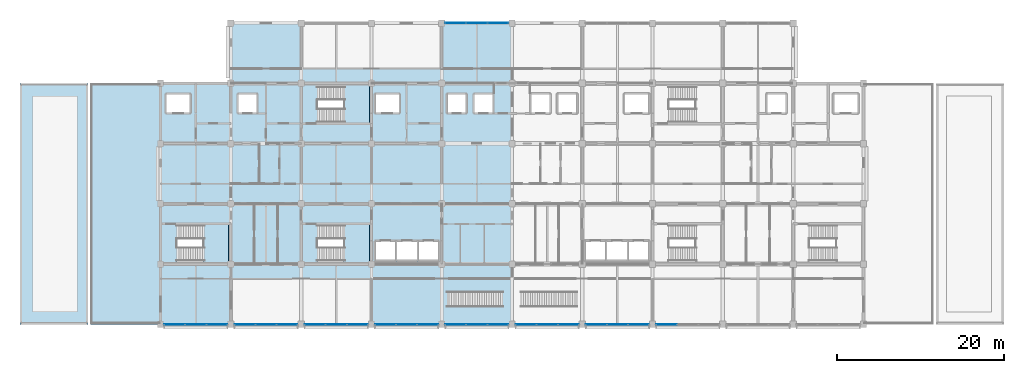
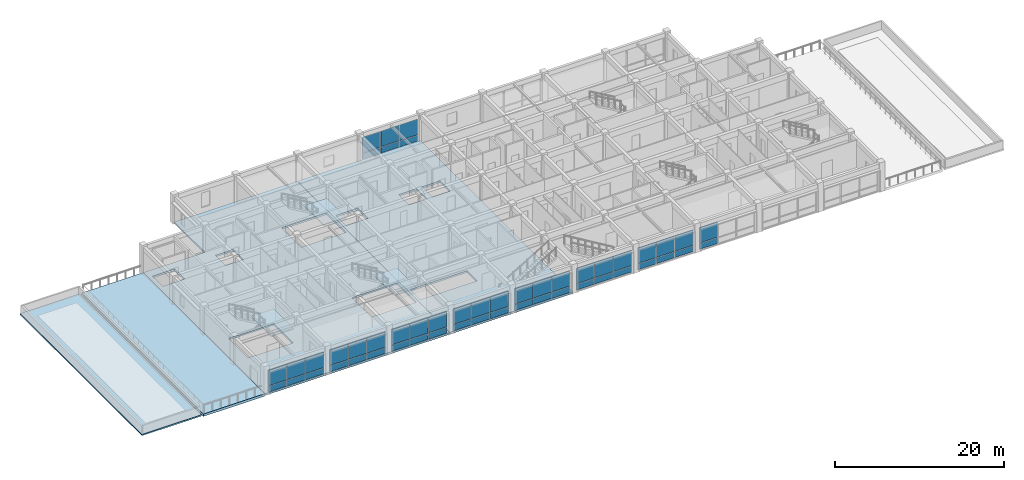
# One storey, part 10 of 27: 50 plates, 7 slabs, 12 elements without a shape of their own.
"""IFC4 building model written with IfcOpenShell, lengths in metres."""

from ifc_helpers import new_model, si_unit, direction, frame, origin, origin_2d, place, context, subcontext, project, spatial, polyline, rectangle, outline, extrude, material, layer, layer_set, type_object, element, aggregate, save


model = new_model("IFC4")

# Units and contexts
model_context = context("Model", 3, precision=1e-05, world=origin(), true_north=direction((0.0, 1.0)))
body_context = subcontext(model_context, "Body", "Model", "MODEL_VIEW")
ifc_project = project(units=[si_unit("LENGTHUNIT", "METRE"), si_unit("AREAUNIT", "SQUARE_METRE"), si_unit("VOLUMEUNIT", "CUBIC_METRE"), si_unit("PLANEANGLEUNIT", "RADIAN"), si_unit("MASSUNIT", "GRAM", prefix="KILO")], contexts=[model_context])

# Site, building, storey
site_placement = place(None, origin())
site = spatial("IfcSite", under=ifc_project, at=site_placement, CompositionType="ELEMENT")
building_placement = place(site_placement, origin())
building = spatial("IfcBuilding", under=site, at=building_placement, Name="Chengyuan Square Courthouse", CompositionType="ELEMENT")
storey_placement = place(building_placement, frame((0.0, 0.0, 35.10009765625)))
storey = spatial("IfcBuildingStorey", under=building, at=storey_placement, Name="L08", CompositionType="ELEMENT", Elevation=35.10009765625)

# Curtain wall, plates
ifc_material_1 = material(Name="Unitised Aluminium and Triple Low-E Glass", Category="aluminium")
ifc_layer_1 = layer(ifc_material_1, 0.179931640625)
ifc_layer_set_1 = layer_set([ifc_layer_1], Name="Unitised Aluminium and Triple Low-E Glass")
curtain_wall_type = type_object("IfcCurtainWallType", Name="CW-22", PredefinedType="USERDEFINED", material=ifc_layer_set_1)
curtain_wall_1_placement = place(storey_placement, origin())
curtain_wall_1 = element("IfcCurtainWall", 1, at=curtain_wall_1_placement, inside=storey, type_object=curtain_wall_type, Name="Unitised Curtain Wall CW-L08-221", ObjectType="UNITISED CURTAIN WALL", PredefinedType="USERDEFINED")
ifc_material_2 = material(Name="Triple Low-E Insulating Glass", Category="glass")
ifc_layer_2 = layer(ifc_material_2, 0.052001953125)
ifc_layer_set_2 = layer_set([ifc_layer_2], Name="Triple Low-E Insulating Glass")
plate_type = type_object("IfcPlateType", Name="CWP-04", PredefinedType="CURTAIN_PANEL", material=ifc_layer_set_2)
plate_1_placement = place(storey_placement, frame((43.666259765625, 79.199951171875, 0.06494140625), z_axis=(0.0, 0.0, 1.0), x_axis=(1.0, 0.0, 0.0)))
plate_1 = element("IfcPlate", 2, at=plate_1_placement, type_object=plate_type, Name="CW-22 panel 1.1", PredefinedType="CURTAIN_PANEL", context=body_context, shape_type="SweptSolid", body=[
    extrude(rectangle(XDim=2.452392578125, YDim=0.052001953125, at=origin_2d()), origin(), (0.0, 0.0, 1.0), 0.8525390625),
])
plate_2_placement = place(storey_placement, frame((43.666259765625, 79.199951171875, 0.982421875), z_axis=(0.0, 0.0, 1.0), x_axis=(1.0, 0.0, 0.0)))
plate_2 = element("IfcPlate", 3, at=plate_2_placement, type_object=plate_type, Name="CW-22 panel 1.2", PredefinedType="CURTAIN_PANEL", context=body_context, shape_type="SweptSolid", body=[
    extrude(rectangle(XDim=2.452392578125, YDim=0.052001953125, at=origin_2d()), origin(), (0.0, 0.0, 1.0), 2.25244140625),
])
plate_3_placement = place(storey_placement, frame((46.199951171875, 79.199951171875, 0.06494140625), z_axis=(0.0, 0.0, 1.0), x_axis=(1.0, 0.0, 0.0)))
plate_3 = element("IfcPlate", 4, at=plate_3_placement, type_object=plate_type, Name="CW-22 panel 2.1", PredefinedType="CURTAIN_PANEL", context=body_context, shape_type="SweptSolid", body=[
    extrude(rectangle(XDim=2.485107421875, YDim=0.052001953125, at=origin_2d()), origin(), (0.0, 0.0, 1.0), 0.8525390625),
])
plate_4_placement = place(storey_placement, frame((46.199951171875, 79.199951171875, 0.982421875), z_axis=(0.0, 0.0, 1.0), x_axis=(1.0, 0.0, 0.0)))
plate_4 = element("IfcPlate", 5, at=plate_4_placement, type_object=plate_type, Name="CW-22 panel 2.2", PredefinedType="CURTAIN_PANEL", context=body_context, shape_type="SweptSolid", body=[
    extrude(rectangle(XDim=2.485107421875, YDim=0.052001953125, at=origin_2d()), origin(), (0.0, 0.0, 1.0), 2.25244140625),
])
plate_5_placement = place(storey_placement, frame((48.733642578125, 79.199951171875, 0.06494140625), z_axis=(0.0, 0.0, 1.0), x_axis=(1.0, 0.0, 0.0)))
plate_5 = element("IfcPlate", 6, at=plate_5_placement, type_object=plate_type, Name="CW-22 panel 3.1", PredefinedType="CURTAIN_PANEL", context=body_context, shape_type="SweptSolid", body=[
    extrude(rectangle(XDim=2.452392578125, YDim=0.052001953125, at=origin_2d()), origin(), (0.0, 0.0, 1.0), 0.8525390625),
])
plate_6_placement = place(storey_placement, frame((48.733642578125, 79.199951171875, 0.982421875), z_axis=(0.0, 0.0, 1.0), x_axis=(1.0, 0.0, 0.0)))
plate_6 = element("IfcPlate", 7, at=plate_6_placement, type_object=plate_type, Name="CW-22 panel 3.2", PredefinedType="CURTAIN_PANEL", context=body_context, shape_type="SweptSolid", body=[
    extrude(rectangle(XDim=2.452392578125, YDim=0.052001953125, at=origin_2d()), origin(), (0.0, 0.0, 1.0), 2.25244140625),
])
aggregate(curtain_wall_1, [plate_1, plate_2, plate_3, plate_4, plate_5, plate_6])

curtain_wall_2_placement = place(storey_placement, origin())
curtain_wall_2 = element("IfcCurtainWall", 8, at=curtain_wall_2_placement, inside=storey, type_object=curtain_wall_type, Name="Unitised Curtain Wall CW-L08-222", ObjectType="UNITISED CURTAIN WALL", PredefinedType="USERDEFINED")
plate_7_placement = place(storey_placement, frame((52.066162109375, 79.199951171875, 0.06494140625), z_axis=(0.0, 0.0, 1.0), x_axis=(1.0, 0.0, 0.0)))
plate_7 = element("IfcPlate", 9, at=plate_7_placement, type_object=plate_type, Name="CW-22 panel 1.1", PredefinedType="CURTAIN_PANEL", context=body_context, shape_type="SweptSolid", body=[
    extrude(rectangle(XDim=2.452392578125, YDim=0.052001953125, at=origin_2d()), origin(), (0.0, 0.0, 1.0), 0.8525390625),
])
plate_8_placement = place(storey_placement, frame((52.066162109375, 79.199951171875, 0.982421875), z_axis=(0.0, 0.0, 1.0), x_axis=(1.0, 0.0, 0.0)))
plate_8 = element("IfcPlate", 10, at=plate_8_placement, type_object=plate_type, Name="CW-22 panel 1.2", PredefinedType="CURTAIN_PANEL", context=body_context, shape_type="SweptSolid", body=[
    extrude(rectangle(XDim=2.452392578125, YDim=0.052001953125, at=origin_2d()), origin(), (0.0, 0.0, 1.0), 2.25244140625),
])
plate_9_placement = place(storey_placement, frame((54.60009765625, 79.199951171875, 0.06494140625), z_axis=(0.0, 0.0, 1.0), x_axis=(1.0, 0.0, 0.0)))
plate_9 = element("IfcPlate", 11, at=plate_9_placement, type_object=plate_type, Name="CW-22 panel 2.1", PredefinedType="CURTAIN_PANEL", context=body_context, shape_type="SweptSolid", body=[
    extrude(rectangle(XDim=2.485107421875, YDim=0.052001953125, at=origin_2d()), origin(), (0.0, 0.0, 1.0), 0.8525390625),
])
plate_10_placement = place(storey_placement, frame((54.60009765625, 79.199951171875, 0.982421875), z_axis=(0.0, 0.0, 1.0), x_axis=(1.0, 0.0, 0.0)))
plate_10 = element("IfcPlate", 12, at=plate_10_placement, type_object=plate_type, Name="CW-22 panel 2.2", PredefinedType="CURTAIN_PANEL", context=body_context, shape_type="SweptSolid", body=[
    extrude(rectangle(XDim=2.485107421875, YDim=0.052001953125, at=origin_2d()), origin(), (0.0, 0.0, 1.0), 2.25244140625),
])
plate_11_placement = place(storey_placement, frame((57.1337890625, 79.199951171875, 0.06494140625), z_axis=(0.0, 0.0, 1.0), x_axis=(1.0, 0.0, 0.0)))
plate_11 = element("IfcPlate", 13, at=plate_11_placement, type_object=plate_type, Name="CW-22 panel 3.1", PredefinedType="CURTAIN_PANEL", context=body_context, shape_type="SweptSolid", body=[
    extrude(rectangle(XDim=2.452392578125, YDim=0.052001953125, at=origin_2d()), origin(), (0.0, 0.0, 1.0), 0.8525390625),
])
plate_12_placement = place(storey_placement, frame((57.1337890625, 79.199951171875, 0.982421875), z_axis=(0.0, 0.0, 1.0), x_axis=(1.0, 0.0, 0.0)))
plate_12 = element("IfcPlate", 14, at=plate_12_placement, type_object=plate_type, Name="CW-22 panel 3.2", PredefinedType="CURTAIN_PANEL", context=body_context, shape_type="SweptSolid", body=[
    extrude(rectangle(XDim=2.452392578125, YDim=0.052001953125, at=origin_2d()), origin(), (0.0, 0.0, 1.0), 2.25244140625),
])
aggregate(curtain_wall_2, [plate_7, plate_8, plate_9, plate_10, plate_11, plate_12])

curtain_wall_3_placement = place(storey_placement, origin())
curtain_wall_3 = element("IfcCurtainWall", 15, at=curtain_wall_3_placement, inside=storey, type_object=curtain_wall_type, Name="Unitised Curtain Wall CW-L08-223", ObjectType="UNITISED CURTAIN WALL", PredefinedType="USERDEFINED")
plate_13_placement = place(storey_placement, frame((60.46630859375, 79.199951171875, 0.06494140625), z_axis=(0.0, 0.0, 1.0), x_axis=(1.0, 0.0, 0.0)))
plate_13 = element("IfcPlate", 16, at=plate_13_placement, type_object=plate_type, Name="CW-22 panel 1.1", PredefinedType="CURTAIN_PANEL", context=body_context, shape_type="SweptSolid", body=[
    extrude(rectangle(XDim=2.452392578125, YDim=0.052001953125, at=origin_2d()), origin(), (0.0, 0.0, 1.0), 0.8525390625),
])
plate_14_placement = place(storey_placement, frame((60.46630859375, 79.199951171875, 0.982421875), z_axis=(0.0, 0.0, 1.0), x_axis=(1.0, 0.0, 0.0)))
plate_14 = element("IfcPlate", 17, at=plate_14_placement, type_object=plate_type, Name="CW-22 panel 1.2", PredefinedType="CURTAIN_PANEL", context=body_context, shape_type="SweptSolid", body=[
    extrude(rectangle(XDim=2.452392578125, YDim=0.052001953125, at=origin_2d()), origin(), (0.0, 0.0, 1.0), 2.25244140625),
])
plate_15_placement = place(storey_placement, frame((63.0, 79.199951171875, 0.06494140625), z_axis=(0.0, 0.0, 1.0), x_axis=(1.0, 0.0, 0.0)))
plate_15 = element("IfcPlate", 18, at=plate_15_placement, type_object=plate_type, Name="CW-22 panel 2.1", PredefinedType="CURTAIN_PANEL", context=body_context, shape_type="SweptSolid", body=[
    extrude(rectangle(XDim=2.485107421875, YDim=0.052001953125, at=origin_2d()), origin(), (0.0, 0.0, 1.0), 0.8525390625),
])
plate_16_placement = place(storey_placement, frame((63.0, 79.199951171875, 0.982421875), z_axis=(0.0, 0.0, 1.0), x_axis=(1.0, 0.0, 0.0)))
plate_16 = element("IfcPlate", 19, at=plate_16_placement, type_object=plate_type, Name="CW-22 panel 2.2", PredefinedType="CURTAIN_PANEL", context=body_context, shape_type="SweptSolid", body=[
    extrude(rectangle(XDim=2.485107421875, YDim=0.052001953125, at=origin_2d()), origin(), (0.0, 0.0, 1.0), 2.25244140625),
])
plate_17_placement = place(storey_placement, frame((65.53369140625, 79.199951171875, 0.06494140625), z_axis=(0.0, 0.0, 1.0), x_axis=(1.0, 0.0, 0.0)))
plate_17 = element("IfcPlate", 20, at=plate_17_placement, type_object=plate_type, Name="CW-22 panel 3.1", PredefinedType="CURTAIN_PANEL", context=body_context, shape_type="SweptSolid", body=[
    extrude(rectangle(XDim=2.452392578125, YDim=0.052001953125, at=origin_2d()), origin(), (0.0, 0.0, 1.0), 0.8525390625),
])
plate_18_placement = place(storey_placement, frame((65.53369140625, 79.199951171875, 0.982421875), z_axis=(0.0, 0.0, 1.0), x_axis=(1.0, 0.0, 0.0)))
plate_18 = element("IfcPlate", 21, at=plate_18_placement, type_object=plate_type, Name="CW-22 panel 3.2", PredefinedType="CURTAIN_PANEL", context=body_context, shape_type="SweptSolid", body=[
    extrude(rectangle(XDim=2.452392578125, YDim=0.052001953125, at=origin_2d()), origin(), (0.0, 0.0, 1.0), 2.25244140625),
])
aggregate(curtain_wall_3, [plate_13, plate_14, plate_15, plate_16, plate_17, plate_18])

curtain_wall_4_placement = place(storey_placement, origin())
curtain_wall_4 = element("IfcCurtainWall", 22, at=curtain_wall_4_placement, inside=storey, type_object=curtain_wall_type, Name="Unitised Curtain Wall CW-L08-224", ObjectType="UNITISED CURTAIN WALL", PredefinedType="USERDEFINED")
plate_19_placement = place(storey_placement, frame((68.8662109375, 79.199951171875, 0.06494140625), z_axis=(0.0, 0.0, 1.0), x_axis=(1.0, 0.0, 0.0)))
plate_19 = element("IfcPlate", 23, at=plate_19_placement, type_object=plate_type, Name="CW-22 panel 1.1", PredefinedType="CURTAIN_PANEL", context=body_context, shape_type="SweptSolid", body=[
    extrude(rectangle(XDim=2.452392578125, YDim=0.052001953125, at=origin_2d()), origin(), (0.0, 0.0, 1.0), 0.8525390625),
])
plate_20_placement = place(storey_placement, frame((68.8662109375, 79.199951171875, 0.982421875), z_axis=(0.0, 0.0, 1.0), x_axis=(1.0, 0.0, 0.0)))
plate_20 = element("IfcPlate", 24, at=plate_20_placement, type_object=plate_type, Name="CW-22 panel 1.2", PredefinedType="CURTAIN_PANEL", context=body_context, shape_type="SweptSolid", body=[
    extrude(rectangle(XDim=2.452392578125, YDim=0.052001953125, at=origin_2d()), origin(), (0.0, 0.0, 1.0), 2.25244140625),
])
plate_21_placement = place(storey_placement, frame((71.39990234375, 79.199951171875, 0.06494140625), z_axis=(0.0, 0.0, 1.0), x_axis=(1.0, 0.0, 0.0)))
plate_21 = element("IfcPlate", 25, at=plate_21_placement, type_object=plate_type, Name="CW-22 panel 2.1", PredefinedType="CURTAIN_PANEL", context=body_context, shape_type="SweptSolid", body=[
    extrude(rectangle(XDim=2.485107421875, YDim=0.052001953125, at=origin_2d()), origin(), (0.0, 0.0, 1.0), 0.8525390625),
])
plate_22_placement = place(storey_placement, frame((71.39990234375, 79.199951171875, 0.982421875), z_axis=(0.0, 0.0, 1.0), x_axis=(1.0, 0.0, 0.0)))
plate_22 = element("IfcPlate", 26, at=plate_22_placement, type_object=plate_type, Name="CW-22 panel 2.2", PredefinedType="CURTAIN_PANEL", context=body_context, shape_type="SweptSolid", body=[
    extrude(rectangle(XDim=2.485107421875, YDim=0.052001953125, at=origin_2d()), origin(), (0.0, 0.0, 1.0), 2.25244140625),
])
plate_23_placement = place(storey_placement, frame((73.933837890625, 79.199951171875, 0.06494140625), z_axis=(0.0, 0.0, 1.0), x_axis=(1.0, 0.0, 0.0)))
plate_23 = element("IfcPlate", 27, at=plate_23_placement, type_object=plate_type, Name="CW-22 panel 3.1", PredefinedType="CURTAIN_PANEL", context=body_context, shape_type="SweptSolid", body=[
    extrude(rectangle(XDim=2.452392578125, YDim=0.052001953125, at=origin_2d()), origin(), (0.0, 0.0, 1.0), 0.8525390625),
])
plate_24_placement = place(storey_placement, frame((73.933837890625, 79.199951171875, 0.982421875), z_axis=(0.0, 0.0, 1.0), x_axis=(1.0, 0.0, 0.0)))
plate_24 = element("IfcPlate", 28, at=plate_24_placement, type_object=plate_type, Name="CW-22 panel 3.2", PredefinedType="CURTAIN_PANEL", context=body_context, shape_type="SweptSolid", body=[
    extrude(rectangle(XDim=2.452392578125, YDim=0.052001953125, at=origin_2d()), origin(), (0.0, 0.0, 1.0), 2.25244140625),
])
aggregate(curtain_wall_4, [plate_19, plate_20, plate_21, plate_22, plate_23, plate_24])

curtain_wall_5_placement = place(storey_placement, origin())
curtain_wall_5 = element("IfcCurtainWall", 29, at=curtain_wall_5_placement, inside=storey, type_object=curtain_wall_type, Name="Unitised Curtain Wall CW-L08-225", ObjectType="UNITISED CURTAIN WALL", PredefinedType="USERDEFINED")
plate_25_placement = place(storey_placement, frame((77.266357421875, 79.199951171875, 0.06494140625), z_axis=(0.0, 0.0, 1.0), x_axis=(1.0, 0.0, 0.0)))
plate_25 = element("IfcPlate", 30, at=plate_25_placement, type_object=plate_type, Name="CW-22 panel 1.1", PredefinedType="CURTAIN_PANEL", context=body_context, shape_type="SweptSolid", body=[
    extrude(rectangle(XDim=2.452392578125, YDim=0.052001953125, at=origin_2d()), origin(), (0.0, 0.0, 1.0), 0.8525390625),
])
plate_26_placement = place(storey_placement, frame((77.266357421875, 79.199951171875, 0.982421875), z_axis=(0.0, 0.0, 1.0), x_axis=(1.0, 0.0, 0.0)))
plate_26 = element("IfcPlate", 31, at=plate_26_placement, type_object=plate_type, Name="CW-22 panel 1.2", PredefinedType="CURTAIN_PANEL", context=body_context, shape_type="SweptSolid", body=[
    extrude(rectangle(XDim=2.452392578125, YDim=0.052001953125, at=origin_2d()), origin(), (0.0, 0.0, 1.0), 2.25244140625),
])
plate_27_placement = place(storey_placement, frame((79.800048828125, 79.199951171875, 0.06494140625), z_axis=(0.0, 0.0, 1.0), x_axis=(1.0, 0.0, 0.0)))
plate_27 = element("IfcPlate", 32, at=plate_27_placement, type_object=plate_type, Name="CW-22 panel 2.1", PredefinedType="CURTAIN_PANEL", context=body_context, shape_type="SweptSolid", body=[
    extrude(rectangle(XDim=2.485107421875, YDim=0.052001953125, at=origin_2d()), origin(), (0.0, 0.0, 1.0), 0.8525390625),
])
plate_28_placement = place(storey_placement, frame((79.800048828125, 79.199951171875, 0.982421875), z_axis=(0.0, 0.0, 1.0), x_axis=(1.0, 0.0, 0.0)))
plate_28 = element("IfcPlate", 33, at=plate_28_placement, type_object=plate_type, Name="CW-22 panel 2.2", PredefinedType="CURTAIN_PANEL", context=body_context, shape_type="SweptSolid", body=[
    extrude(rectangle(XDim=2.485107421875, YDim=0.052001953125, at=origin_2d()), origin(), (0.0, 0.0, 1.0), 2.25244140625),
])
plate_29_placement = place(storey_placement, frame((82.333740234375, 79.199951171875, 0.06494140625), z_axis=(0.0, 0.0, 1.0), x_axis=(1.0, 0.0, 0.0)))
plate_29 = element("IfcPlate", 34, at=plate_29_placement, type_object=plate_type, Name="CW-22 panel 3.1", PredefinedType="CURTAIN_PANEL", context=body_context, shape_type="SweptSolid", body=[
    extrude(rectangle(XDim=2.452392578125, YDim=0.052001953125, at=origin_2d()), origin(), (0.0, 0.0, 1.0), 0.8525390625),
])
plate_30_placement = place(storey_placement, frame((82.333740234375, 79.199951171875, 0.982421875), z_axis=(0.0, 0.0, 1.0), x_axis=(1.0, 0.0, 0.0)))
plate_30 = element("IfcPlate", 35, at=plate_30_placement, type_object=plate_type, Name="CW-22 panel 3.2", PredefinedType="CURTAIN_PANEL", context=body_context, shape_type="SweptSolid", body=[
    extrude(rectangle(XDim=2.452392578125, YDim=0.052001953125, at=origin_2d()), origin(), (0.0, 0.0, 1.0), 2.25244140625),
])
aggregate(curtain_wall_5, [plate_25, plate_26, plate_27, plate_28, plate_29, plate_30])

curtain_wall_6_placement = place(storey_placement, origin())
curtain_wall_6 = element("IfcCurtainWall", 36, at=curtain_wall_6_placement, inside=storey, type_object=curtain_wall_type, Name="Unitised Curtain Wall CW-L08-226", ObjectType="UNITISED CURTAIN WALL", PredefinedType="USERDEFINED")
plate_31_placement = place(storey_placement, frame((77.266357421875, 115.199951171875, 0.06494140625), z_axis=(0.0, 0.0, 1.0), x_axis=(1.0, 0.0, 0.0)))
plate_31 = element("IfcPlate", 37, at=plate_31_placement, type_object=plate_type, Name="CW-22 panel 1.1", PredefinedType="CURTAIN_PANEL", context=body_context, shape_type="SweptSolid", body=[
    extrude(rectangle(XDim=2.452392578125, YDim=0.052001953125, at=origin_2d()), origin(), (0.0, 0.0, 1.0), 0.8525390625),
])
plate_32_placement = place(storey_placement, frame((77.266357421875, 115.199951171875, 0.982421875), z_axis=(0.0, 0.0, 1.0), x_axis=(1.0, 0.0, 0.0)))
plate_32 = element("IfcPlate", 38, at=plate_32_placement, type_object=plate_type, Name="CW-22 panel 1.2", PredefinedType="CURTAIN_PANEL", context=body_context, shape_type="SweptSolid", body=[
    extrude(rectangle(XDim=2.452392578125, YDim=0.052001953125, at=origin_2d()), origin(), (0.0, 0.0, 1.0), 2.25244140625),
])
plate_33_placement = place(storey_placement, frame((79.800048828125, 115.199951171875, 0.06494140625), z_axis=(0.0, 0.0, 1.0), x_axis=(1.0, 0.0, 0.0)))
plate_33 = element("IfcPlate", 39, at=plate_33_placement, type_object=plate_type, Name="CW-22 panel 2.1", PredefinedType="CURTAIN_PANEL", context=body_context, shape_type="SweptSolid", body=[
    extrude(rectangle(XDim=2.485107421875, YDim=0.052001953125, at=origin_2d()), origin(), (0.0, 0.0, 1.0), 0.8525390625),
])
plate_34_placement = place(storey_placement, frame((79.800048828125, 115.199951171875, 0.982421875), z_axis=(0.0, 0.0, 1.0), x_axis=(1.0, 0.0, 0.0)))
plate_34 = element("IfcPlate", 40, at=plate_34_placement, type_object=plate_type, Name="CW-22 panel 2.2", PredefinedType="CURTAIN_PANEL", context=body_context, shape_type="SweptSolid", body=[
    extrude(rectangle(XDim=2.485107421875, YDim=0.052001953125, at=origin_2d()), origin(), (0.0, 0.0, 1.0), 2.25244140625),
])
plate_35_placement = place(storey_placement, frame((82.333740234375, 115.199951171875, 0.06494140625), z_axis=(0.0, 0.0, 1.0), x_axis=(1.0, 0.0, 0.0)))
plate_35 = element("IfcPlate", 41, at=plate_35_placement, type_object=plate_type, Name="CW-22 panel 3.1", PredefinedType="CURTAIN_PANEL", context=body_context, shape_type="SweptSolid", body=[
    extrude(rectangle(XDim=2.452392578125, YDim=0.052001953125, at=origin_2d()), origin(), (0.0, 0.0, 1.0), 0.8525390625),
])
plate_36_placement = place(storey_placement, frame((82.333740234375, 115.199951171875, 0.982421875), z_axis=(0.0, 0.0, 1.0), x_axis=(1.0, 0.0, 0.0)))
plate_36 = element("IfcPlate", 42, at=plate_36_placement, type_object=plate_type, Name="CW-22 panel 3.2", PredefinedType="CURTAIN_PANEL", context=body_context, shape_type="SweptSolid", body=[
    extrude(rectangle(XDim=2.452392578125, YDim=0.052001953125, at=origin_2d()), origin(), (0.0, 0.0, 1.0), 2.25244140625),
])
aggregate(curtain_wall_6, [plate_31, plate_32, plate_33, plate_34, plate_35, plate_36])

curtain_wall_7_placement = place(storey_placement, origin())
curtain_wall_7 = element("IfcCurtainWall", 43, at=curtain_wall_7_placement, inside=storey, type_object=curtain_wall_type, Name="Unitised Curtain Wall CW-L08-227", ObjectType="UNITISED CURTAIN WALL", PredefinedType="USERDEFINED")
plate_37_placement = place(storey_placement, frame((85.666259765625, 79.199951171875, 0.06494140625), z_axis=(0.0, 0.0, 1.0), x_axis=(1.0, 0.0, 0.0)))
plate_37 = element("IfcPlate", 44, at=plate_37_placement, type_object=plate_type, Name="CW-22 panel 1.1", PredefinedType="CURTAIN_PANEL", context=body_context, shape_type="SweptSolid", body=[
    extrude(rectangle(XDim=2.452392578125, YDim=0.052001953125, at=origin_2d()), origin(), (0.0, 0.0, 1.0), 0.8525390625),
])
plate_38_placement = place(storey_placement, frame((85.666259765625, 79.199951171875, 0.982421875), z_axis=(0.0, 0.0, 1.0), x_axis=(1.0, 0.0, 0.0)))
plate_38 = element("IfcPlate", 45, at=plate_38_placement, type_object=plate_type, Name="CW-22 panel 1.2", PredefinedType="CURTAIN_PANEL", context=body_context, shape_type="SweptSolid", body=[
    extrude(rectangle(XDim=2.452392578125, YDim=0.052001953125, at=origin_2d()), origin(), (0.0, 0.0, 1.0), 2.25244140625),
])
plate_39_placement = place(storey_placement, frame((88.199951171875, 79.199951171875, 0.06494140625), z_axis=(0.0, 0.0, 1.0), x_axis=(1.0, 0.0, 0.0)))
plate_39 = element("IfcPlate", 46, at=plate_39_placement, type_object=plate_type, Name="CW-22 panel 2.1", PredefinedType="CURTAIN_PANEL", context=body_context, shape_type="SweptSolid", body=[
    extrude(rectangle(XDim=2.485107421875, YDim=0.052001953125, at=origin_2d()), origin(), (0.0, 0.0, 1.0), 0.8525390625),
])
plate_40_placement = place(storey_placement, frame((88.199951171875, 79.199951171875, 0.982421875), z_axis=(0.0, 0.0, 1.0), x_axis=(1.0, 0.0, 0.0)))
plate_40 = element("IfcPlate", 47, at=plate_40_placement, type_object=plate_type, Name="CW-22 panel 2.2", PredefinedType="CURTAIN_PANEL", context=body_context, shape_type="SweptSolid", body=[
    extrude(rectangle(XDim=2.485107421875, YDim=0.052001953125, at=origin_2d()), origin(), (0.0, 0.0, 1.0), 2.25244140625),
])
plate_41_placement = place(storey_placement, frame((90.733642578125, 79.199951171875, 0.06494140625), z_axis=(0.0, 0.0, 1.0), x_axis=(1.0, 0.0, 0.0)))
plate_41 = element("IfcPlate", 48, at=plate_41_placement, type_object=plate_type, Name="CW-22 panel 3.1", PredefinedType="CURTAIN_PANEL", context=body_context, shape_type="SweptSolid", body=[
    extrude(rectangle(XDim=2.452392578125, YDim=0.052001953125, at=origin_2d()), origin(), (0.0, 0.0, 1.0), 0.8525390625),
])
plate_42_placement = place(storey_placement, frame((90.733642578125, 79.199951171875, 0.982421875), z_axis=(0.0, 0.0, 1.0), x_axis=(1.0, 0.0, 0.0)))
plate_42 = element("IfcPlate", 49, at=plate_42_placement, type_object=plate_type, Name="CW-22 panel 3.2", PredefinedType="CURTAIN_PANEL", context=body_context, shape_type="SweptSolid", body=[
    extrude(rectangle(XDim=2.452392578125, YDim=0.052001953125, at=origin_2d()), origin(), (0.0, 0.0, 1.0), 2.25244140625),
])
aggregate(curtain_wall_7, [plate_37, plate_38, plate_39, plate_40, plate_41, plate_42])

curtain_wall_8_placement = place(storey_placement, origin())
curtain_wall_8 = element("IfcCurtainWall", 50, at=curtain_wall_8_placement, inside=storey, type_object=curtain_wall_type, Name="Unitised Curtain Wall CW-L08-228", ObjectType="UNITISED CURTAIN WALL", PredefinedType="USERDEFINED")
plate_43_placement = place(storey_placement, frame((94.066162109375, 79.199951171875, 0.06494140625), z_axis=(0.0, 0.0, 1.0), x_axis=(1.0, 0.0, 0.0)))
plate_43 = element("IfcPlate", 51, at=plate_43_placement, type_object=plate_type, Name="CW-22 panel 1.1", PredefinedType="CURTAIN_PANEL", context=body_context, shape_type="SweptSolid", body=[
    extrude(rectangle(XDim=2.452392578125, YDim=0.052001953125, at=origin_2d()), origin(), (0.0, 0.0, 1.0), 0.8525390625),
])
plate_44_placement = place(storey_placement, frame((94.066162109375, 79.199951171875, 0.982421875), z_axis=(0.0, 0.0, 1.0), x_axis=(1.0, 0.0, 0.0)))
plate_44 = element("IfcPlate", 52, at=plate_44_placement, type_object=plate_type, Name="CW-22 panel 1.2", PredefinedType="CURTAIN_PANEL", context=body_context, shape_type="SweptSolid", body=[
    extrude(rectangle(XDim=2.452392578125, YDim=0.052001953125, at=origin_2d()), origin(), (0.0, 0.0, 1.0), 2.25244140625),
])
plate_45_placement = place(storey_placement, frame((96.60009765625, 79.199951171875, 0.06494140625), z_axis=(0.0, 0.0, 1.0), x_axis=(1.0, 0.0, 0.0)))
plate_45 = element("IfcPlate", 53, at=plate_45_placement, type_object=plate_type, Name="CW-22 panel 2.1", PredefinedType="CURTAIN_PANEL", context=body_context, shape_type="SweptSolid", body=[
    extrude(rectangle(XDim=2.485107421875, YDim=0.052001953125, at=origin_2d()), origin(), (0.0, 0.0, 1.0), 0.8525390625),
])
plate_46_placement = place(storey_placement, frame((96.60009765625, 79.199951171875, 0.982421875), z_axis=(0.0, 0.0, 1.0), x_axis=(1.0, 0.0, 0.0)))
plate_46 = element("IfcPlate", 54, at=plate_46_placement, type_object=plate_type, Name="CW-22 panel 2.2", PredefinedType="CURTAIN_PANEL", context=body_context, shape_type="SweptSolid", body=[
    extrude(rectangle(XDim=2.485107421875, YDim=0.052001953125, at=origin_2d()), origin(), (0.0, 0.0, 1.0), 2.25244140625),
])
plate_47_placement = place(storey_placement, frame((99.1337890625, 79.199951171875, 0.06494140625), z_axis=(0.0, 0.0, 1.0), x_axis=(1.0, 0.0, 0.0)))
plate_47 = element("IfcPlate", 55, at=plate_47_placement, type_object=plate_type, Name="CW-22 panel 3.1", PredefinedType="CURTAIN_PANEL", context=body_context, shape_type="SweptSolid", body=[
    extrude(rectangle(XDim=2.452392578125, YDim=0.052001953125, at=origin_2d()), origin(), (0.0, 0.0, 1.0), 0.8525390625),
])
plate_48_placement = place(storey_placement, frame((99.1337890625, 79.199951171875, 0.982421875), z_axis=(0.0, 0.0, 1.0), x_axis=(1.0, 0.0, 0.0)))
plate_48 = element("IfcPlate", 56, at=plate_48_placement, type_object=plate_type, Name="CW-22 panel 3.2", PredefinedType="CURTAIN_PANEL", context=body_context, shape_type="SweptSolid", body=[
    extrude(rectangle(XDim=2.452392578125, YDim=0.052001953125, at=origin_2d()), origin(), (0.0, 0.0, 1.0), 2.25244140625),
])
aggregate(curtain_wall_8, [plate_43, plate_44, plate_45, plate_46, plate_47, plate_48])

curtain_wall_9_placement = place(storey_placement, origin())
curtain_wall_9 = element("IfcCurtainWall", 57, at=curtain_wall_9_placement, inside=storey, type_object=curtain_wall_type, Name="Unitised Curtain Wall CW-L08-230", ObjectType="UNITISED CURTAIN WALL", PredefinedType="USERDEFINED")
plate_49_placement = place(storey_placement, frame((102.46630859375, 79.199951171875, 0.06494140625), z_axis=(0.0, 0.0, 1.0), x_axis=(1.0, 0.0, 0.0)))
plate_49 = element("IfcPlate", 58, at=plate_49_placement, type_object=plate_type, Name="CW-22 panel 1.1", PredefinedType="CURTAIN_PANEL", context=body_context, shape_type="SweptSolid", body=[
    extrude(rectangle(XDim=2.452392578125, YDim=0.052001953125, at=origin_2d()), origin(), (0.0, 0.0, 1.0), 0.8525390625),
])
plate_50_placement = place(storey_placement, frame((102.46630859375, 79.199951171875, 0.982421875), z_axis=(0.0, 0.0, 1.0), x_axis=(1.0, 0.0, 0.0)))
plate_50 = element("IfcPlate", 59, at=plate_50_placement, type_object=plate_type, Name="CW-22 panel 1.2", PredefinedType="CURTAIN_PANEL", context=body_context, shape_type="SweptSolid", body=[
    extrude(rectangle(XDim=2.452392578125, YDim=0.052001953125, at=origin_2d()), origin(), (0.0, 0.0, 1.0), 2.25244140625),
])
aggregate(curtain_wall_9, [plate_49, plate_50])

# Stair, slab
ifc_material_3 = material(Name="Concrete C40", Category="concrete")
stair_type_1 = type_object("IfcStairType", Name="ST-TYPE-01", PredefinedType="HALF_TURN_STAIR", material=ifc_material_3)
stair_1_placement = place(storey_placement, origin())
stair_1 = element("IfcStair", 60, at=stair_1_placement, inside=storey, type_object=stair_type_1, Name="Smoke-Proof Exit Stair ST-1 (L08 to L09)", PredefinedType="HALF_TURN_STAIR")
ifc_layer_3 = layer(ifc_material_3, 0.179931640625)
ifc_layer_set_3 = layer_set([ifc_layer_3], Name="Concrete C40")
slab_type_1 = type_object("IfcSlabType", Name="SL-LND2", PredefinedType="LANDING", material=ifc_layer_set_3)
slab_1_placement = place(storey_placement, frame((0.0, 0.0, 1.919921875)))
slab_1 = element("IfcSlab", 61, at=slab_1_placement, type_object=slab_type_1, Name="ST-1 landing 1", PredefinedType="LANDING", context=body_context, shape_type="SweptSolid", body=[
    extrude(outline(polyline([(63.889892578125, 103.159912109375), (66.93994140625, 103.159912109375), (66.93994140625, 107.840087890625), (63.889892578125, 107.840087890625), (63.889892578125, 103.159912109375)])), origin(), (0.0, 0.0, 1.0), 0.179931640625),
])
aggregate(stair_1, [slab_1])

stair_type_2 = type_object("IfcStairType", Name="ST-TYPE-03", PredefinedType="HALF_TURN_STAIR", material=ifc_material_3)
stair_2_placement = place(storey_placement, origin())
stair_2 = element("IfcStair", 62, at=stair_2_placement, inside=storey, type_object=stair_type_2, Name="Smoke-Proof Exit Stair ST-3 (L08 to L09)", PredefinedType="HALF_TURN_STAIR")
slab_2_placement = place(storey_placement, frame((0.0, 0.0, 1.919921875)))
slab_2 = element("IfcSlab", 63, at=slab_2_placement, type_object=slab_type_1, Name="ST-3 landing 1", PredefinedType="LANDING", context=body_context, shape_type="SweptSolid", body=[
    extrude(outline(polyline([(63.889892578125, 86.56005859375), (66.93994140625, 86.56005859375), (66.93994140625, 91.239990234375), (63.889892578125, 91.239990234375), (63.889892578125, 86.56005859375)])), origin(), (0.0, 0.0, 1.0), 0.179931640625),
])
aggregate(stair_2, [slab_2])

stair_type_3 = type_object("IfcStairType", Name="ST-TYPE-05", PredefinedType="HALF_TURN_STAIR", material=ifc_material_3)
stair_3_placement = place(storey_placement, origin())
stair_3 = element("IfcStair", 64, at=stair_3_placement, inside=storey, type_object=stair_type_3, Name="Smoke-Proof Exit Stair ST-5 (L08 to L09)", PredefinedType="HALF_TURN_STAIR")
slab_3_placement = place(storey_placement, frame((0.0, 0.0, 1.919921875)))
slab_3 = element("IfcSlab", 65, at=slab_3_placement, type_object=slab_type_1, Name="ST-5 landing 1", PredefinedType="LANDING", context=body_context, shape_type="SweptSolid", body=[
    extrude(outline(polyline([(47.090087890625, 86.56005859375), (50.139892578125, 86.56005859375), (50.139892578125, 91.239990234375), (47.090087890625, 91.239990234375), (47.090087890625, 86.56005859375)])), origin(), (0.0, 0.0, 1.0), 0.179931640625),
])
aggregate(stair_3, [slab_3])

# Slabs
ifc_layer_4 = layer(ifc_material_3, 0.199951171875)
ifc_layer_set_4 = layer_set([ifc_layer_4], Name="Concrete C40")
slab_type_2 = type_object("IfcSlabType", Name="SL-MRF", PredefinedType="ROOF", material=ifc_layer_set_4)
slab_4_placement = place(storey_placement, frame((0.0, 0.0, -0.2001953125)))
element("IfcSlab", 66, at=slab_4_placement, inside=storey, type_object=slab_type_2, Name="Maintenance Roof Slab SL-MRF-L08-1", PredefinedType="ROOF", context=body_context, shape_type="SweptSolid", body=[
    extrude(outline(polyline([(25.199951171875, 86.39990234375), (25.199951171875, 93.60009765625), (25.199951171875, 100.800048828125), (25.199951171875, 108.0), (33.320068359375, 108.0), (33.320068359375, 79.199951171875), (25.199951171875, 79.199951171875), (25.199951171875, 86.39990234375)])), origin(), (0.0, 0.0, 1.0), 0.2001953125),
])
ifc_material_4 = material(Name="Post-tensioned Concrete C50", Category="concrete")
ifc_layer_5 = layer(ifc_material_4, 0.260009765625)
ifc_layer_set_5 = layer_set([ifc_layer_5], Name="Post-tensioned Concrete C50")
slab_type_3 = type_object("IfcSlabType", Name="SL-PT26", PredefinedType="FLOOR", material=ifc_layer_set_5)
slab_5_placement = place(storey_placement, frame((0.0, 0.0, -0.260009765625)))
element("IfcSlab", 67, at=slab_5_placement, inside=storey, type_object=slab_type_3, Name="Suspended Floor Slab SL-L08-01", PredefinedType="FLOOR", context=body_context, shape_type="SweptSolid", body=[
    extrude(outline(polyline([(50.39990234375, 115.199951171875), (58.800048828125, 115.199951171875), (67.199951171875, 115.199951171875), (67.199951171875, 79.199951171875), (58.800048828125, 79.199951171875), (50.39990234375, 79.199951171875), (42.0, 79.199951171875), (42.0, 86.39990234375), (42.0, 93.60009765625), (42.0, 100.800048828125), (42.0, 108.0), (50.39990234375, 108.0), (50.39990234375, 115.199951171875)]), holes=[polyline([(50.10009765625, 91.199951171875), (43.949951171875, 91.199951171875), (43.949951171875, 86.60009765625), (50.10009765625, 86.60009765625), (50.10009765625, 91.199951171875)]), polyline([(66.89990234375, 91.199951171875), (60.75, 91.199951171875), (60.75, 86.60009765625), (66.89990234375, 86.60009765625), (66.89990234375, 91.199951171875)]), polyline([(60.75, 107.800048828125), (60.75, 103.199951171875), (66.89990234375, 103.199951171875), (66.89990234375, 107.800048828125), (60.75, 107.800048828125)]), polyline([(45.60009765625, 106.800048828125), (42.60009765625, 106.800048828125), (42.60009765625, 104.39990234375), (45.60009765625, 104.39990234375), (45.60009765625, 106.800048828125)]), polyline([(53.60009765625, 106.800048828125), (51.199951171875, 106.800048828125), (51.199951171875, 104.39990234375), (53.60009765625, 104.39990234375), (53.60009765625, 106.800048828125)])]), origin(), (0.0, 0.0, 1.0), 0.260009765625),
])
slab_6_placement = place(storey_placement, frame((0.0, 0.0, -0.260009765625)))
element("IfcSlab", 68, at=slab_6_placement, inside=storey, type_object=slab_type_3, Name="Suspended Floor Slab SL-L08-02", PredefinedType="FLOOR", context=body_context, shape_type="SweptSolid", body=[
    extrude(outline(polyline([(75.60009765625, 115.199951171875), (84.0, 115.199951171875), (84.0, 79.199951171875), (75.60009765625, 79.199951171875), (67.199951171875, 79.199951171875), (67.199951171875, 115.199951171875), (75.60009765625, 115.199951171875)]), holes=[polyline([(67.60009765625, 89.199951171875), (67.60009765625, 86.800048828125), (70.14990234375, 86.800048828125), (72.75, 86.800048828125), (75.300048828125, 86.800048828125), (75.300048828125, 89.199951171875), (72.75, 89.199951171875), (70.14990234375, 89.199951171875), (67.60009765625, 89.199951171875)]), polyline([(67.60009765625, 106.800048828125), (67.60009765625, 104.39990234375), (70.60009765625, 104.39990234375), (70.60009765625, 106.800048828125), (67.60009765625, 106.800048828125)]), polyline([(78.60009765625, 106.800048828125), (76.199951171875, 106.800048828125), (76.199951171875, 104.39990234375), (78.60009765625, 104.39990234375), (78.60009765625, 106.800048828125)]), polyline([(81.800048828125, 106.800048828125), (79.39990234375, 106.800048828125), (79.39990234375, 104.39990234375), (81.800048828125, 104.39990234375), (81.800048828125, 106.800048828125)])]), origin(), (0.0, 0.0, 1.0), 0.260009765625),
])
ifc_layer_6 = layer(ifc_material_3, 0.35009765625)
ifc_layer_set_6 = layer_set([ifc_layer_6], Name="Concrete C40")
slab_type_4 = type_object("IfcSlabType", Name="SL-TER", PredefinedType="ROOF", material=ifc_layer_set_6)
slab_7_placement = place(storey_placement, frame((0.0, 0.0, -0.35009765625)))
element("IfcSlab", 69, at=slab_7_placement, inside=storey, type_object=slab_type_4, Name="West Appellate Sky Garden Terrace", PredefinedType="ROOF", context=body_context, shape_type="SweptSolid", body=[
    extrude(outline(polyline([(33.60009765625, 79.199951171875), (33.60009765625, 86.39990234375), (33.60009765625, 93.60009765625), (33.60009765625, 100.800048828125), (33.60009765625, 108.0), (42.0, 108.0), (42.0, 100.800048828125), (42.0, 93.60009765625), (42.0, 86.39990234375), (42.0, 79.199951171875), (33.60009765625, 79.199951171875)])), origin(), (0.0, 0.0, 1.0), 0.35009765625),
])

save(model, "model.ifc")
